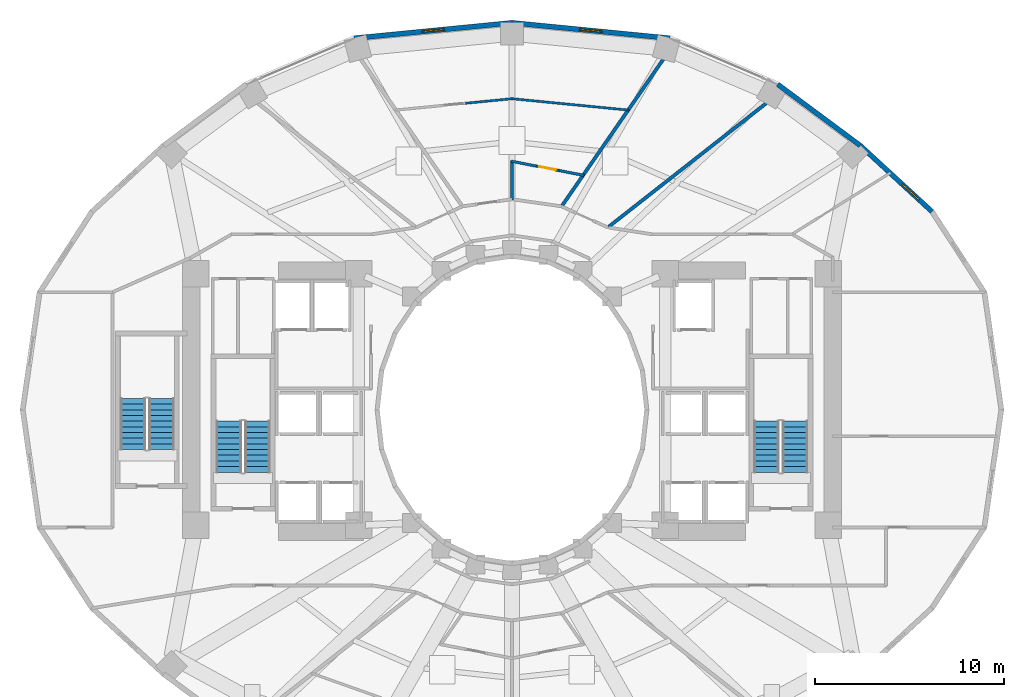
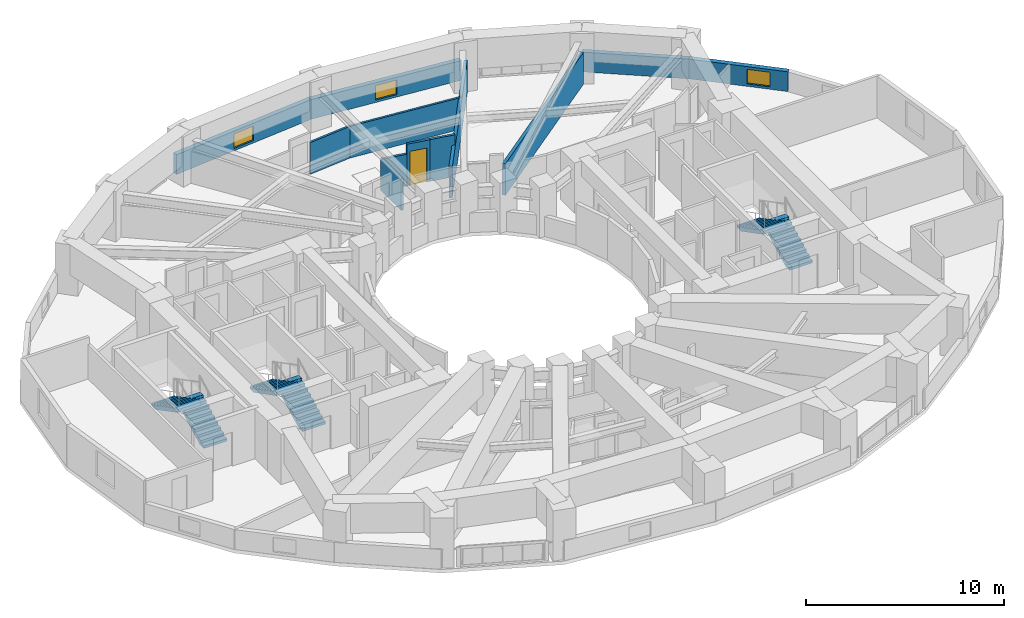
# One storey, part 13 of 16: 12 walls, 6 stair flights, 3 windows, 1 door, 4 openings, 3 elements without a shape of their own.
"""IFC4 building model written with IfcOpenShell, lengths in metres."""

from ifc_helpers import new_model, si_unit, direction, frame, frame_2d, origin, place, context, subcontext, project, spatial, polyline, rectangle, outline, extrude, material, layer, layer_set, type_object, element, fill, aggregate, save


model = new_model("IFC4")

# Units and contexts
model_context = context("Model", 3, precision=1e-05, world=origin(), true_north=direction((0.0, 1.0)))
body_context = subcontext(model_context, "Body", "Model", "MODEL_VIEW")
ifc_project = project(units=[si_unit("LENGTHUNIT", "METRE"), si_unit("AREAUNIT", "SQUARE_METRE"), si_unit("VOLUMEUNIT", "CUBIC_METRE"), si_unit("PLANEANGLEUNIT", "RADIAN"), si_unit("MASSUNIT", "GRAM", prefix="KILO")], contexts=[model_context])

# Site, building, storey
site_placement = place(None, origin())
site = spatial("IfcSite", under=ifc_project, at=site_placement, CompositionType="ELEMENT")
building_placement = place(site_placement, origin())
building = spatial("IfcBuilding", under=site, at=building_placement, Name="Solvane Sanctuary Tower", CompositionType="ELEMENT")
storey_placement = place(building_placement, frame((0.0, 0.0, 33.800048828125)))
storey = spatial("IfcBuildingStorey", under=building, at=storey_placement, Name="L09", CompositionType="ELEMENT", Elevation=33.800048828125)

# Wall, opening, window
ifc_material_1 = material(Name="Precast concrete C40/50", Category="concrete")
ifc_layer_1 = layer(ifc_material_1, 0.260009765625, Name="Precast concrete C40/50")
ifc_layer_set_1 = layer_set([ifc_layer_1], Name="Precast concrete C40/50")
wall_type_1 = type_object("IfcWallType", Name="Wall W-EXT-250", PredefinedType="STANDARD", material=ifc_layer_set_1)
wall_1_placement = place(storey_placement, frame((54.19384765625, 33.4755859375, 0.0), z_axis=(0.0, 0.0, 1.0), x_axis=(-0.735655109293, 0.67735630223, 0.0)))
wall_1 = element("IfcWall", 1, at=wall_1_placement, inside=storey, type_object=wall_type_1, Name="L09 Ceramic-Printed Facade Wall 02", PredefinedType="STANDARD", context=body_context, shape_type="SweptSolid", body=[
    extrude(rectangle(XDim=5.15087890625, YDim=0.260009765625, at=frame_2d((2.575439453125, 0.0))), origin(), (0.0, 0.0, 1.0), 1.219970703125),
])
opening_1_placement = place(wall_1_placement, frame((0.9287109375, 0.0, 0.14990234375)))
opening_1 = element("IfcOpeningElement", 2, at=opening_1_placement, cuts=wall_1, Name="Opening WN-OPER-1200", PredefinedType="OPENING", context=body_context, shape_type="SweptSolid", body=[
    extrude(rectangle(XDim=1.199951171875, YDim=0.89990234375, at=frame_2d((0.60009765625, 0.449951171875))), frame((0.0, 0.139892578125, 0.0), z_axis=(0.0, -1.0, 0.0), x_axis=(1.0, 0.0, 0.0)), (0.0, 0.0, 1.0), 0.280029296875),
])
ifc_material_2 = material(Name="Dark Ceramic-Fritted Low-E Glass", Category="glass")
window_type = type_object("IfcWindowType", Name="Window WN-OPER-1200", PartitioningType="SINGLE_PANEL", PredefinedType="WINDOW", material=ifc_material_2)
window_1_placement = place(opening_1_placement, origin())
window_1 = element("IfcWindow", 3, at=window_1_placement, inside=storey, type_object=window_type, Name="L09 Operable Facade Window 02", OverallHeight=0.89990234375, OverallWidth=1.199951171875, PartitioningType="SINGLE_PANEL", PredefinedType="WINDOW", context=body_context, shape_type="SweptSolid", body=[
    extrude(rectangle(XDim=1.199951171875, YDim=0.89990234375, at=frame_2d((0.60009765625, 0.449951171875))), frame((0.0, 0.030029296875, 0.0), z_axis=(0.0, -1.0, 0.0), x_axis=(1.0, 0.0, 0.0)), (0.0, 0.0, 1.0), 0.06005859375),
])
fill(opening_1, window_1)

# Wall
wall_2_placement = place(storey_placement, frame((50.404541015625, 36.964599609375, 0.0), z_axis=(0.0, 0.0, 1.0), x_axis=(-0.803477531792, 0.595335078679, 0.0)))
element("IfcWall", 4, at=wall_2_placement, inside=storey, type_object=wall_type_1, Name="L09 Ceramic-Printed Facade Wall 03", PredefinedType="STANDARD", context=body_context, shape_type="SweptSolid", body=[
    extrude(rectangle(XDim=5.4296875, YDim=0.260009765625, at=frame_2d((2.71484375, 0.0))), origin(), (0.0, 0.0, 1.0), 1.219970703125),
])

# Wall, opening, window
wall_3_placement = place(storey_placement, frame((40.331787109375, 42.63623046875, 0.0), z_axis=(0.0, 0.0, 1.0), x_axis=(-0.995247718352, 0.097375454379, 0.0)))
wall_3 = element("IfcWall", 5, at=wall_3_placement, inside=storey, type_object=wall_type_1, Name="L09 Ceramic-Printed Facade Wall 05", PredefinedType="STANDARD", context=body_context, shape_type="SweptSolid", body=[
    extrude(rectangle(XDim=8.37158203125, YDim=0.260009765625, at=frame_2d((4.185791015625, 0.0))), origin(), (0.0, 0.0, 1.0), 1.219970703125),
])
opening_2_placement = place(wall_3_placement, frame((3.585693359375, 0.0, 0.14990234375)))
opening_2 = element("IfcOpeningElement", 6, at=opening_2_placement, cuts=wall_3, Name="Opening WN-OPER-1200", PredefinedType="OPENING", context=body_context, shape_type="SweptSolid", body=[
    extrude(rectangle(XDim=1.199951171875, YDim=0.89990234375, at=frame_2d((0.60009765625, 0.449951171875))), frame((0.0, 0.139892578125, 0.0), z_axis=(0.0, -1.0, 0.0), x_axis=(1.0, 0.0, 0.0)), (0.0, 0.0, 1.0), 0.280029296875),
])
window_2_placement = place(opening_2_placement, origin())
window_2 = element("IfcWindow", 7, at=window_2_placement, inside=storey, type_object=window_type, Name="L09 Operable Facade Window 05", OverallHeight=0.89990234375, OverallWidth=1.199951171875, PartitioningType="SINGLE_PANEL", PredefinedType="WINDOW", context=body_context, shape_type="SweptSolid", body=[
    extrude(rectangle(XDim=1.199951171875, YDim=0.89990234375, at=frame_2d((0.60009765625, 0.449951171875))), frame((0.0, 0.030029296875, 0.0), z_axis=(0.0, -1.0, 0.0), x_axis=(1.0, 0.0, 0.0)), (0.0, 0.0, 1.0), 0.06005859375),
])
fill(opening_2, window_2)

wall_4_placement = place(storey_placement, frame((32.0, 43.451416015625, 0.0), z_axis=(0.0, 0.0, 1.0), x_axis=(-0.995247718352, -0.097375454379, 0.0)))
wall_4 = element("IfcWall", 8, at=wall_4_placement, inside=storey, type_object=wall_type_1, Name="L09 Ceramic-Printed Facade Wall 06", PredefinedType="STANDARD", context=body_context, shape_type="SweptSolid", body=[
    extrude(rectangle(XDim=8.37158203125, YDim=0.260009765625, at=frame_2d((4.185791015625, 0.0))), origin(), (0.0, 0.0, 1.0), 1.219970703125),
])
opening_3_placement = place(wall_4_placement, frame((3.585693359375, 0.0, 0.14990234375)))
opening_3 = element("IfcOpeningElement", 9, at=opening_3_placement, cuts=wall_4, Name="Opening WN-OPER-1200", PredefinedType="OPENING", context=body_context, shape_type="SweptSolid", body=[
    extrude(rectangle(XDim=1.199951171875, YDim=0.89990234375, at=frame_2d((0.60009765625, 0.449951171875))), frame((0.0, 0.139892578125, 0.0), z_axis=(0.0, -1.0, 0.0), x_axis=(1.0, 0.0, 0.0)), (0.0, 0.0, 1.0), 0.280029296875),
])
window_3_placement = place(opening_3_placement, origin())
window_3 = element("IfcWindow", 10, at=window_3_placement, inside=storey, type_object=window_type, Name="L09 Operable Facade Window 06", OverallHeight=0.89990234375, OverallWidth=1.199951171875, PartitioningType="SINGLE_PANEL", PredefinedType="WINDOW", context=body_context, shape_type="SweptSolid", body=[
    extrude(rectangle(XDim=1.199951171875, YDim=0.89990234375, at=frame_2d((0.60009765625, 0.449951171875))), frame((0.0, 0.030029296875, 0.0), z_axis=(0.0, -1.0, 0.0), x_axis=(1.0, 0.0, 0.0)), (0.0, 0.0, 1.0), 0.06005859375),
])
fill(opening_3, window_3)

# Walls
ifc_material_3 = material(Name="Acoustic Gypsum Partition Board")
ifc_layer_2 = layer(ifc_material_3, 0.1201171875, Name="Acoustic Gypsum Partition Board")
ifc_layer_set_2 = layer_set([ifc_layer_2], Name="Acoustic Gypsum Partition Board")
wall_type_2 = type_object("IfcWallType", Name="Wall W-MOV-100", PredefinedType="MOVABLE", material=ifc_layer_set_2)
wall_5_placement = place(storey_placement, frame((38.189697265625, 38.835205078125, 0.0), z_axis=(0.0, 0.0, 1.0), x_axis=(-0.995257435484, 0.097276087063, 0.0)))
element("IfcWall", 11, at=wall_5_placement, inside=storey, type_object=wall_type_2, Name="L09 Suite Sitting Lounge Partition N2", PredefinedType="MOVABLE", context=body_context, shape_type="SweptSolid", body=[
    extrude(rectangle(XDim=6.229248046875, YDim=0.1201171875, at=frame_2d((3.11474609375, 0.0))), origin(), (0.0, 0.0, 1.0), 1.95703125),
])
wall_6_placement = place(storey_placement, frame((32.010009765625, 39.441162109375, 0.0), z_axis=(0.0, 0.0, 1.0), x_axis=(-0.995256979001, -0.097280757346, 0.0)))
element("IfcWall", 12, at=wall_6_placement, inside=storey, type_object=wall_type_2, Name="L09 Suite Sitting Lounge Partition N2", PredefinedType="MOVABLE", context=body_context, shape_type="SweptSolid", body=[
    extrude(rectangle(XDim=2.4794921875, YDim=0.1201171875, at=frame_2d((1.23974609375, 0.0))), origin(), (0.0, 0.0, 1.0), 1.95703125),
])
ifc_layer_3 = layer(ifc_material_3, 0.179931640625, Name="Acoustic Gypsum Partition Board")
ifc_layer_set_3 = layer_set([ifc_layer_3], Name="Acoustic Gypsum Partition Board")
wall_type_3 = type_object("IfcWallType", Name="Wall W-UNIT-180", PredefinedType="PARTITIONING", material=ifc_layer_set_3)
wall_7_placement = place(storey_placement, frame((37.1083984375, 32.6728515625, 0.0), z_axis=(0.0, 0.0, 1.0), x_axis=(0.78700868866, 0.616941912966, 0.0)))
element("IfcWall", 13, at=wall_7_placement, inside=storey, type_object=wall_type_3, Name="L09 Radial Compartment Wall 060", PredefinedType="PARTITIONING", context=body_context, shape_type="SweptSolid", body=[
    extrude(rectangle(XDim=10.5830078125, YDim=0.179931640625, at=frame_2d((5.29150390625, 0.0))), origin(), (0.0, 0.0, 1.0), 1.95703125),
])
wall_8_placement = place(storey_placement, frame((34.653076171875, 33.7958984375, 0.0), z_axis=(0.0, 0.0, 1.0), x_axis=(0.568631434817, 0.822592421153, 0.0)))
element("IfcWall", 14, at=wall_8_placement, inside=storey, type_object=wall_type_3, Name="L09 Radial Compartment Wall 075", PredefinedType="PARTITIONING", context=body_context, shape_type="SweptSolid", body=[
    extrude(rectangle(XDim=9.39404296875, YDim=0.179931640625, at=frame_2d((4.697021484375, 0.0))), origin(), (0.0, 0.0, 1.0), 1.95703125),
])
ifc_layer_4 = layer(ifc_material_3, 0.139892578125, Name="Acoustic Gypsum Partition Board")
ifc_layer_set_4 = layer_set([ifc_layer_4], Name="Acoustic Gypsum Partition Board")
wall_type_4 = type_object("IfcWallType", Name="Wall W-WET-140", PredefinedType="PLUMBINGWALL", material=ifc_layer_set_4)
wall_9_placement = place(storey_placement, frame((32.0, 34.080078125, 0.0), z_axis=(0.0, 0.0, 1.0), x_axis=(0.0, 1.0, 0.0)))
element("IfcWall", 15, at=wall_9_placement, inside=storey, type_object=wall_type_4, Name="L09 En-suite Side Partition N2", PredefinedType="PLUMBINGWALL", context=body_context, shape_type="SweptSolid", body=[
    extrude(rectangle(XDim=2.099853515625, YDim=0.139892578125, at=frame_2d((1.0498046875, 0.0))), origin(), (0.0, 0.0, 1.0), 1.95703125),
])
wall_10_placement = place(storey_placement, frame((35.80810546875, 35.386474609375, 0.0), z_axis=(0.0, 0.0, 1.0), x_axis=(-0.981484809036, 0.191539994861, 0.0)))
element("IfcWall", 16, at=wall_10_placement, inside=storey, type_object=wall_type_4, Name="L09 En-suite Bedroom Wall N2", PredefinedType="PLUMBINGWALL", context=body_context, shape_type="SweptSolid", body=[
    extrude(rectangle(XDim=1.35498046875, YDim=0.139892578125, at=frame_2d((0.677490234375, 0.0))), origin(), (0.0, 0.0, 1.0), 2.574951171875),
])

# Wall, opening, door
wall_11_placement = place(storey_placement, frame((34.478271484375, 35.64599609375, 0.0), z_axis=(0.0, 0.0, 1.0), x_axis=(-0.981455717174, 0.191689006535, 0.0)))
wall_11 = element("IfcWall", 17, at=wall_11_placement, inside=storey, type_object=wall_type_4, Name="L09 En-suite Bedroom Wall N2", PredefinedType="PLUMBINGWALL", context=body_context, shape_type="SweptSolid", body=[
    extrude(rectangle(XDim=1.22021484375, YDim=0.139892578125, at=frame_2d((0.610107421875, 0.0))), origin(), (0.0, 0.0, 1.0), 2.574951171875),
])
opening_4_placement = place(wall_11_placement, frame((0.159912109375, 0.0, 0.0)))
opening_4 = element("IfcOpeningElement", 18, at=opening_4_placement, cuts=wall_11, Name="Opening D-L09-20", PredefinedType="OPENING", context=body_context, shape_type="SweptSolid", body=[
    extrude(rectangle(XDim=0.89990234375, YDim=2.10009765625, at=frame_2d((0.449951171875, 1.050048828125))), frame((0.0, 0.079833984375, 0.0), z_axis=(0.0, -1.0, 0.0), x_axis=(1.0, 0.0, 0.0)), (0.0, 0.0, 1.0), 0.159912109375),
])
ifc_material_4 = material(Name="Engineered Tropical Hardwood", Category="wood")
door_type = type_object("IfcDoorType", Name="Door D-WET-900", OperationType="NOTDEFINED", PredefinedType="DOOR", material=ifc_material_4)
door_placement = place(opening_4_placement, origin())
door = element("IfcDoor", 19, at=door_placement, inside=storey, type_object=door_type, Name="L09 En-suite Bathroom Door N2", OperationType="SINGLE_SWING_RIGHT", OverallHeight=2.10009765625, OverallWidth=0.89990234375, PredefinedType="DOOR", context=body_context, shape_type="SweptSolid", body=[
    extrude(rectangle(XDim=0.89990234375, YDim=2.10009765625, at=frame_2d((0.449951171875, 1.050048828125))), frame((0.0, 0.02490234375, 0.0), z_axis=(0.0, -1.0, 0.0), x_axis=(1.0, 0.0, 0.0)), (0.0, 0.0, 1.0), 0.050048828125),
])
fill(opening_4, door)

# Wall
wall_12_placement = place(storey_placement, frame((33.28076171875, 35.8798828125, 0.0), z_axis=(0.0, 0.0, 1.0), x_axis=(-0.981450920641, 0.191713563349, 0.0)))
element("IfcWall", 20, at=wall_12_placement, inside=storey, type_object=wall_type_4, Name="L09 En-suite Bedroom Wall N2", PredefinedType="PLUMBINGWALL", context=body_context, shape_type="SweptSolid", body=[
    extrude(rectangle(XDim=1.35498046875, YDim=0.139892578125, at=frame_2d((0.677490234375, 0.0))), origin(), (0.0, 0.0, 1.0), 1.95703125),
])

# Stair, stair flights
ifc_material_5 = material(Name="Concrete C45/55", Category="concrete")
stair_type = type_object("IfcStairType", Name="Stair ST-TOW", PredefinedType="HALF_TURN_STAIR", material=ifc_material_5)
stair_1_placement = place(storey_placement, origin())
stair_1 = element("IfcStair", 21, at=stair_1_placement, inside=storey, type_object=stair_type, Name="L09 Exit Stair ST-1 West Core", PredefinedType="HALF_TURN_STAIR")
stair_flight_type = type_object("IfcStairFlightType", Name="StairFlight SF-TOW", PredefinedType="STRAIGHT", material=ifc_material_5)
stair_flight_1_placement = place(storey_placement, frame((18.544921875, 19.699951171875, 0.0), z_axis=(0.0, 0.0, 1.0), x_axis=(0.0, 1.0, 0.0)))
stair_flight_1 = element("IfcStairFlight", 22, at=stair_flight_1_placement, type_object=stair_flight_type, Name="ST-1 flight 1", NumberOfRisers=10, NumberOfTreads=9, PredefinedType="STRAIGHT", RiserHeight=0.155, TreadLength=0.3, context=body_context, shape_type="SweptSolid", body=[
    extrude(outline(polyline([(0.0, 0.0), (0.0, 0.155029296875), (0.300048828125, 0.155029296875), (0.300048828125, 0.31005859375), (0.60009765625, 0.31005859375), (0.60009765625, 0.465087890625), (0.89990234375, 0.465087890625), (0.89990234375, 0.6201171875), (1.199951171875, 0.6201171875), (1.199951171875, 0.77490234375), (1.5, 0.77490234375), (1.5, 0.929931640625), (1.800048828125, 0.929931640625), (1.800048828125, 1.0849609375), (2.10009765625, 1.0849609375), (2.10009765625, 1.239990234375), (2.39990234375, 1.239990234375), (2.39990234375, 1.39501953125), (2.699951171875, 1.39501953125), (2.699951171875, 1.550048828125), (2.699951171875, 1.1923828125), (0.39208984375, 0.0), (0.0, 0.0)])), frame((0.0, 0.675048828125, 0.0), z_axis=(0.0, -1.0, 0.0), x_axis=(1.0, 0.0, 0.0)), (0.0, 0.0, 1.0), 1.35009765625),
])
stair_flight_2_placement = place(storey_placement, frame((17.034912109375, 22.39990234375, 1.550048828125), z_axis=(0.0, 0.0, 1.0), x_axis=(0.0, -1.0, 0.0)))
stair_flight_2 = element("IfcStairFlight", 23, at=stair_flight_2_placement, type_object=stair_flight_type, Name="ST-1 flight 2", NumberOfRisers=10, NumberOfTreads=9, PredefinedType="STRAIGHT", RiserHeight=0.155, TreadLength=0.3, context=body_context, shape_type="SweptSolid", body=[
    extrude(outline(polyline([(0.0, 0.0), (0.0, 0.155029296875), (0.300048828125, 0.155029296875), (0.300048828125, 0.31005859375), (0.60009765625, 0.31005859375), (0.60009765625, 0.465087890625), (0.89990234375, 0.465087890625), (0.89990234375, 0.6201171875), (1.199951171875, 0.6201171875), (1.199951171875, 0.77490234375), (1.5, 0.77490234375), (1.5, 0.929931640625), (1.800048828125, 0.929931640625), (1.800048828125, 1.0849609375), (2.10009765625, 1.0849609375), (2.10009765625, 1.239990234375), (2.39990234375, 1.239990234375), (2.39990234375, 1.39501953125), (2.699951171875, 1.39501953125), (2.699951171875, 1.550048828125), (2.699951171875, 1.1923828125), (0.39208984375, 0.0), (0.0, 0.0)])), frame((0.0, 0.675048828125, 0.0), z_axis=(0.0, -1.0, 0.0), x_axis=(1.0, 0.0, 0.0)), (0.0, 0.0, 1.0), 1.35009765625),
])
aggregate(stair_1, [stair_flight_1, stair_flight_2])

stair_2_placement = place(storey_placement, origin())
stair_2 = element("IfcStair", 24, at=stair_2_placement, inside=storey, type_object=stair_type, Name="L09 Exit Stair ST-2 East Core", PredefinedType="HALF_TURN_STAIR")
stair_flight_3_placement = place(storey_placement, frame((46.965087890625, 19.699951171875, 0.0), z_axis=(0.0, 0.0, 1.0), x_axis=(0.0, 1.0, 0.0)))
stair_flight_3 = element("IfcStairFlight", 25, at=stair_flight_3_placement, type_object=stair_flight_type, Name="ST-2 flight 1", NumberOfRisers=10, NumberOfTreads=9, PredefinedType="STRAIGHT", RiserHeight=0.155, TreadLength=0.3, context=body_context, shape_type="SweptSolid", body=[
    extrude(outline(polyline([(0.0, 0.0), (0.0, 0.155029296875), (0.300048828125, 0.155029296875), (0.300048828125, 0.31005859375), (0.60009765625, 0.31005859375), (0.60009765625, 0.465087890625), (0.89990234375, 0.465087890625), (0.89990234375, 0.6201171875), (1.199951171875, 0.6201171875), (1.199951171875, 0.77490234375), (1.5, 0.77490234375), (1.5, 0.929931640625), (1.800048828125, 0.929931640625), (1.800048828125, 1.0849609375), (2.10009765625, 1.0849609375), (2.10009765625, 1.239990234375), (2.39990234375, 1.239990234375), (2.39990234375, 1.39501953125), (2.699951171875, 1.39501953125), (2.699951171875, 1.550048828125), (2.699951171875, 1.1923828125), (0.39208984375, 0.0), (0.0, 0.0)])), frame((0.0, 0.675048828125, 0.0), z_axis=(0.0, -1.0, 0.0), x_axis=(1.0, 0.0, 0.0)), (0.0, 0.0, 1.0), 1.35009765625),
])
stair_flight_4_placement = place(storey_placement, frame((45.455078125, 22.39990234375, 1.550048828125), z_axis=(0.0, 0.0, 1.0), x_axis=(0.0, -1.0, 0.0)))
stair_flight_4 = element("IfcStairFlight", 26, at=stair_flight_4_placement, type_object=stair_flight_type, Name="ST-2 flight 2", NumberOfRisers=10, NumberOfTreads=9, PredefinedType="STRAIGHT", RiserHeight=0.155, TreadLength=0.3, context=body_context, shape_type="SweptSolid", body=[
    extrude(outline(polyline([(0.0, 0.0), (0.0, 0.155029296875), (0.300048828125, 0.155029296875), (0.300048828125, 0.31005859375), (0.60009765625, 0.31005859375), (0.60009765625, 0.465087890625), (0.89990234375, 0.465087890625), (0.89990234375, 0.6201171875), (1.199951171875, 0.6201171875), (1.199951171875, 0.77490234375), (1.5, 0.77490234375), (1.5, 0.929931640625), (1.800048828125, 0.929931640625), (1.800048828125, 1.0849609375), (2.10009765625, 1.0849609375), (2.10009765625, 1.239990234375), (2.39990234375, 1.239990234375), (2.39990234375, 1.39501953125), (2.699951171875, 1.39501953125), (2.699951171875, 1.550048828125), (2.699951171875, 1.1923828125), (0.39208984375, 0.0), (0.0, 0.0)])), frame((0.0, 0.675048828125, 0.0), z_axis=(0.0, -1.0, 0.0), x_axis=(1.0, 0.0, 0.0)), (0.0, 0.0, 1.0), 1.35009765625),
])
aggregate(stair_2, [stair_flight_3, stair_flight_4])

stair_3_placement = place(storey_placement, origin())
stair_3 = element("IfcStair", 27, at=stair_3_placement, inside=storey, type_object=stair_type, Name="L09 Exit Stair ST-3 Pilgrim Tower Stair", PredefinedType="HALF_TURN_STAIR")
stair_flight_5_placement = place(storey_placement, frame((13.485107421875, 20.89990234375, 0.0), z_axis=(0.0, 0.0, 1.0), x_axis=(0.0, 1.0, 0.0)))
stair_flight_5 = element("IfcStairFlight", 28, at=stair_flight_5_placement, type_object=stair_flight_type, Name="ST-3 flight 1", NumberOfRisers=10, NumberOfTreads=9, PredefinedType="STRAIGHT", RiserHeight=0.155, TreadLength=0.3, context=body_context, shape_type="SweptSolid", body=[
    extrude(outline(polyline([(0.0, 0.0), (0.0, 0.155029296875), (0.300048828125, 0.155029296875), (0.300048828125, 0.31005859375), (0.60009765625, 0.31005859375), (0.60009765625, 0.465087890625), (0.89990234375, 0.465087890625), (0.89990234375, 0.6201171875), (1.199951171875, 0.6201171875), (1.199951171875, 0.77490234375), (1.5, 0.77490234375), (1.5, 0.929931640625), (1.800048828125, 0.929931640625), (1.800048828125, 1.0849609375), (2.10009765625, 1.0849609375), (2.10009765625, 1.239990234375), (2.39990234375, 1.239990234375), (2.39990234375, 1.39501953125), (2.699951171875, 1.39501953125), (2.699951171875, 1.550048828125), (2.699951171875, 1.1923828125), (0.39208984375, 0.0), (0.0, 0.0)])), frame((0.0, 0.675048828125, 0.0), z_axis=(0.0, -1.0, 0.0), x_axis=(1.0, 0.0, 0.0)), (0.0, 0.0, 1.0), 1.35009765625),
])
stair_flight_6_placement = place(storey_placement, frame((11.97509765625, 23.60009765625, 1.550048828125), z_axis=(0.0, 0.0, 1.0), x_axis=(0.0, -1.0, 0.0)))
stair_flight_6 = element("IfcStairFlight", 29, at=stair_flight_6_placement, type_object=stair_flight_type, Name="ST-3 flight 2", NumberOfRisers=10, NumberOfTreads=9, PredefinedType="STRAIGHT", RiserHeight=0.155, TreadLength=0.3, context=body_context, shape_type="SweptSolid", body=[
    extrude(outline(polyline([(0.0, 0.0), (0.0, 0.155029296875), (0.300048828125, 0.155029296875), (0.300048828125, 0.31005859375), (0.60009765625, 0.31005859375), (0.60009765625, 0.465087890625), (0.89990234375, 0.465087890625), (0.89990234375, 0.6201171875), (1.199951171875, 0.6201171875), (1.199951171875, 0.77490234375), (1.5, 0.77490234375), (1.5, 0.929931640625), (1.800048828125, 0.929931640625), (1.800048828125, 1.0849609375), (2.10009765625, 1.0849609375), (2.10009765625, 1.239990234375), (2.39990234375, 1.239990234375), (2.39990234375, 1.39501953125), (2.699951171875, 1.39501953125), (2.699951171875, 1.550048828125), (2.699951171875, 1.1923828125), (0.39208984375, 0.0), (0.0, 0.0)])), frame((0.0, 0.675048828125, 0.0), z_axis=(0.0, -1.0, 0.0), x_axis=(1.0, 0.0, 0.0)), (0.0, 0.0, 1.0), 1.35009765625),
])
aggregate(stair_3, [stair_flight_5, stair_flight_6])

save(model, "model.ifc")
